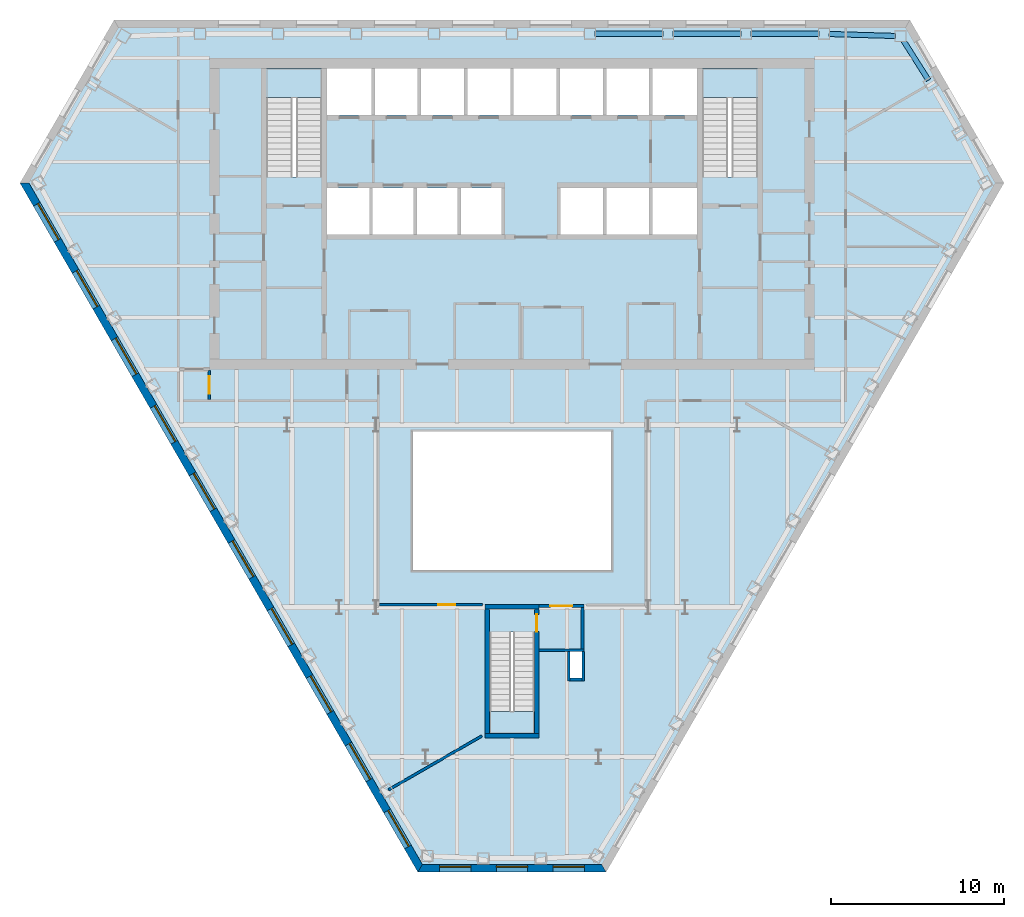
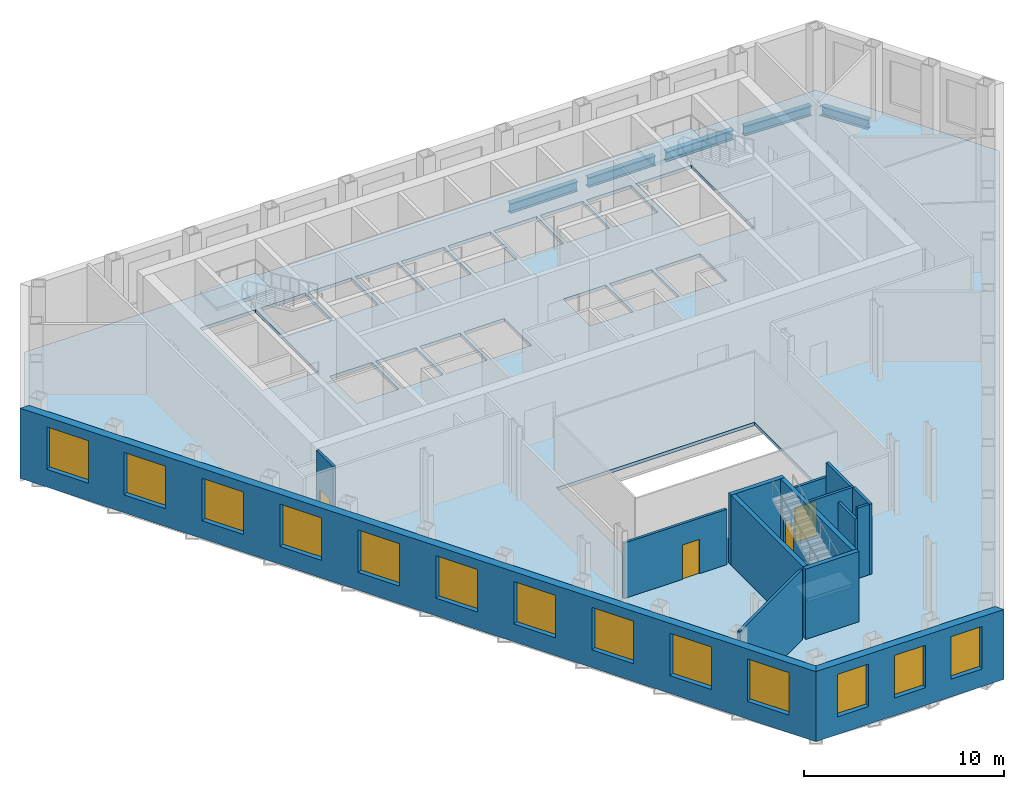
# One storey, part 4 of 11: 15 walls, 13 windows, 5 beams, 4 doors, 4 slabs, 17 openings, 3 elements without a shape of their own.
"""IFC4 building model written with IfcOpenShell, lengths in metres."""

import ifcopenshell
import ifcopenshell.guid

model = None  # the IFC model being written
_history = None  # IfcOwnerHistory: only IFC2X3 demands one
_inside = {}  # id of a spatial element -> (the spatial element, [elements in it])
_under = {}  # id of a project, library or spatial element -> (it, [spatial elements below it])
_declared = {}  # id of a project -> (the project, [libraries it declares])
_typed = {}  # id of a type object -> (the type object, [elements of that type])
_made_of = {}  # id of a material, layer set ... -> (it, [elements and type objects made of it])


def new_model(schema):
    """Start an empty IFC model of exactly this schema.

    Asked for "IFC4X3", IfcOpenShell would pick the latest addendum, in which some entities
    have other attributes; the version numbers below select the first issue.
    IFC2X3 requires an IfcOwnerHistory on every rooted entity: one is made here for all.
    """
    global model, _history
    if schema == "IFC4X3":
        model = ifcopenshell.file(schema_version=(4, 3, 0, 0))
    else:
        model = ifcopenshell.file(schema=schema)
    _inside.clear()
    _under.clear()
    _declared.clear()
    _typed.clear()
    _made_of.clear()
    _history = None
    if model.schema == "IFC2X3":
        org = make("IfcOrganization", Name="unknown")
        user = make(
            "IfcPersonAndOrganization",
            ThePerson=make("IfcPerson", FamilyName="unknown"),
            TheOrganization=org,
        )
        app = make(
            "IfcApplication",
            ApplicationDeveloper=org,
            Version="unknown",
            ApplicationFullName="unknown",
            ApplicationIdentifier="unknown",
        )
        _history = make(
            "IfcOwnerHistory",
            OwningUser=user,
            OwningApplication=app,
            ChangeAction="ADDED",
            CreationDate=0,
        )
    return model


def make(cls, **values):
    """One entity of the class cls with the attributes given. An attribute that is None is left unset."""
    return model.create_entity(
        cls, **{name: value for name, value in values.items() if value is not None}
    )


def rooted(cls, **values):
    """An entity with a GlobalId (a new one), such as an element, a storey or a relation."""
    return make(cls, GlobalId=ifcopenshell.guid.new(), OwnerHistory=_history, **values)


def si_unit(unit_type, name, prefix=None):
    """IfcSIUnit, for example si_unit("LENGTHUNIT", "METRE", prefix="MILLI")."""
    return make("IfcSIUnit", UnitType=unit_type, Prefix=prefix, Name=name)


def assignment(units):
    """IfcUnitAssignment: the units of a project."""
    return None if units is None else make("IfcUnitAssignment", Units=units)


def point(xyz):
    """IfcCartesianPoint."""
    return None if xyz is None else make("IfcCartesianPoint", Coordinates=xyz)


def direction(xyz):
    """IfcDirection."""
    return None if xyz is None else make("IfcDirection", DirectionRatios=xyz)


def frame(location, z_axis=None, x_axis=None):
    """IfcAxis2Placement3D, a coordinate frame: its origin and axes. An axis left out is left unset."""
    return make(
        "IfcAxis2Placement3D",
        Location=point(location),
        Axis=direction(z_axis),
        RefDirection=direction(x_axis),
    )


def frame_2d(location, x_axis=None):
    """IfcAxis2Placement2D, a coordinate frame in the plane: its origin and x axis."""
    return make(
        "IfcAxis2Placement2D", Location=point(location), RefDirection=direction(x_axis)
    )


def origin():
    """The frame at (0, 0, 0) with its axes left unset."""
    return frame((0.0, 0.0, 0.0))


def origin_2d():
    """The frame at (0, 0) in the plane with its x axis left unset."""
    return frame_2d((0.0, 0.0))


def place(relative_to, where):
    """IfcLocalPlacement: puts the frame where relative to a parent placement (None: the world)."""
    return make(
        "IfcLocalPlacement", PlacementRelTo=relative_to, RelativePlacement=where
    )


def context(
    kind, dimensions, precision=None, world=None, true_north=None, identifier=None
):
    """IfcGeometricRepresentationContext, for example the 3D "Model" context."""
    return make(
        "IfcGeometricRepresentationContext",
        ContextIdentifier=identifier,
        ContextType=kind,
        CoordinateSpaceDimension=dimensions,
        Precision=precision,
        WorldCoordinateSystem=world,
        TrueNorth=true_north,
    )


def subcontext(parent, identifier, kind, view, scale=None):
    """IfcGeometricRepresentationSubContext, for example "Body" below "Model"."""
    return make(
        "IfcGeometricRepresentationSubContext",
        ContextIdentifier=identifier,
        ContextType=kind,
        ParentContext=parent,
        TargetScale=scale,
        TargetView=view,
    )


def project(units=None, contexts=None):
    """IfcProject with its units and contexts."""
    return rooted(
        "IfcProject",
        Name="project",
        RepresentationContexts=contexts,
        UnitsInContext=assignment(units),
    )


def spatial(cls, under=None, at=None, **own):
    """A site, building, storey or space (cls), placed at a placement, below another one or the project."""
    s = rooted(cls, ObjectPlacement=at, **own)
    if under is not None:
        _under.setdefault(under.id(), (under, []))[1].append(s)
    return s


def polyline(points):
    """IfcPolyline through the points."""
    return make("IfcPolyline", Points=[point(p) for p in points])


def profile(cls, at=None, kind="AREA", **sizes):
    """A parametric profile (cls). Its sizes go by their IFC names, for example OverallWidth=200.0."""
    return make(cls, ProfileType=kind, Position=at, **sizes)


def rectangle(**sizes):
    """IfcRectangleProfileDef."""
    return profile("IfcRectangleProfileDef", **sizes)


def i_section(**sizes):
    """IfcIShapeProfileDef."""
    return profile("IfcIShapeProfileDef", **sizes)


def outline(outer, holes=None, kind="AREA"):
    """IfcArbitraryClosedProfileDef: a profile drawn as a closed curve; with holes, ...WithVoids."""
    if holes is None:
        return make("IfcArbitraryClosedProfileDef", ProfileType=kind, OuterCurve=outer)
    return make(
        "IfcArbitraryProfileDefWithVoids",
        ProfileType=kind,
        OuterCurve=outer,
        InnerCurves=holes,
    )


def extrude(swept, where, along, depth):
    """IfcExtrudedAreaSolid: the profile swept, set in the frame where, extruded along a direction by depth."""
    return make(
        "IfcExtrudedAreaSolid",
        SweptArea=swept,
        Position=where,
        ExtrudedDirection=direction(along),
        Depth=depth,
    )


def clip(a, b, op="DIFFERENCE"):
    """IfcBooleanClippingResult: the solid a cut by the half space b."""
    return make(
        "IfcBooleanClippingResult", Operator=op, FirstOperand=a, SecondOperand=b
    )


def halfspace(plane, agree):
    """IfcHalfSpaceSolid: all space on one side of the plane z = 0 of the frame plane."""
    return make(
        "IfcHalfSpaceSolid",
        BaseSurface=make("IfcPlane", Position=plane),
        AgreementFlag=agree,
    )


def shape(context_of_items, identifier, shape_type, items):
    """IfcShapeRepresentation: the items that make up one representation, for example the "Body"."""
    return make(
        "IfcShapeRepresentation",
        ContextOfItems=context_of_items,
        RepresentationIdentifier=identifier,
        RepresentationType=shape_type,
        Items=items,
    )


def material(Name=None, Category=None):
    """IfcMaterial."""
    return make("IfcMaterial", Name=Name, Category=Category)


def layer(
    of_material, thickness, ventilated=None, Name=None, Category=None, Priority=None
):
    """IfcMaterialLayer: one layer of a wall or slab, of a material (None: an air gap)."""
    return make(
        "IfcMaterialLayer",
        Material=of_material,
        LayerThickness=thickness,
        IsVentilated=ventilated,
        Name=Name,
        Category=Category,
        Priority=Priority,
    )


def layer_set(layers, Name=None):
    """IfcMaterialLayerSet."""
    return make("IfcMaterialLayerSet", MaterialLayers=layers, LayerSetName=Name)


def material_profile(
    of_material, cross_section, Name=None, Category=None, Priority=None
):
    """IfcMaterialProfile: a cross section and its material."""
    return make(
        "IfcMaterialProfile",
        Name=Name,
        Material=of_material,
        Profile=cross_section,
        Priority=Priority,
        Category=Category,
    )


def profile_set(profiles, Name=None, composite=None):
    """IfcMaterialProfileSet."""
    return make(
        "IfcMaterialProfileSet",
        Name=Name,
        MaterialProfiles=profiles,
        CompositeProfile=composite,
    )


def made_of(thing, what):
    """Note that an element or type object is made of a material, layer set ...; save() writes the relation."""
    if what is not None:
        _made_of.setdefault(what.id(), (what, []))[1].append(thing)
    return thing


def type_object(cls, material=None, **own):
    """A type object (cls), such as IfcWallType, which elements share."""
    return made_of(rooted(cls, **own), material)


def element(
    cls,
    number,
    at=None,
    inside=None,
    cuts=None,
    type_object=None,
    material=None,
    context=None,
    identifier="Body",
    shape_type=None,
    held_by="IfcProductDefinitionShape",
    body=None,
    shapes=None,
    **own,
):
    """One element of the class cls, such as IfcWall. Its Tag is "e" and its number.

    at: its placement. inside: the storey or other place that contains it. cuts: it is an
    opening in that element (IfcRelVoidsElement). A single representation is given by context,
    identifier, shape_type and body (its items); several are given by shapes. held_by: the class
    of the entity that holds the representations. save() writes the other relations.
    """
    e = rooted(cls, Tag="e%d" % number, ObjectPlacement=at, **own)
    if body is not None:
        shapes = [shape(context, identifier, shape_type, body)]
    if shapes is not None:
        e.Representation = make(held_by, Representations=shapes)
    if inside is not None:
        _inside.setdefault(inside.id(), (inside, []))[1].append(e)
    if cuts is not None:
        rooted(
            "IfcRelVoidsElement", RelatingBuildingElement=cuts, RelatedOpeningElement=e
        )
    if type_object is not None:
        _typed.setdefault(type_object.id(), (type_object, []))[1].append(e)
    return made_of(e, material)


def fill(opening, filler):
    """IfcRelFillsElement: the door or window that sits in an opening."""
    return rooted(
        "IfcRelFillsElement",
        RelatingOpeningElement=opening,
        RelatedBuildingElement=filler,
    )


def aggregate(whole, parts):
    """IfcRelAggregates: a whole, such as a stair, and the parts it consists of."""
    return rooted("IfcRelAggregates", RelatingObject=whole, RelatedObjects=parts)


def save(model, path):
    """Write the relations noted so far, then the file.

    IfcRelAggregates (storeys below a building ...), IfcRelContainedInSpatialStructure (elements
    in a storey), IfcRelDefinesByType, IfcRelAssociatesMaterial and IfcRelDeclares: one each for
    every whole, place, type object, material and project.
    """
    for whole, parts in _under.values():
        aggregate(whole, parts)
    for where, things in _inside.values():
        rooted(
            "IfcRelContainedInSpatialStructure",
            RelatedElements=things,
            RelatingStructure=where,
        )
    for kind, things in _typed.values():
        rooted("IfcRelDefinesByType", RelatedObjects=things, RelatingType=kind)
    for what, things in _made_of.values():
        rooted("IfcRelAssociatesMaterial", RelatedObjects=things, RelatingMaterial=what)
    for by, libraries in _declared.values():
        rooted("IfcRelDeclares", RelatingContext=by, RelatedDefinitions=libraries)
    model.write(path)


model = new_model("IFC4")

# Units and contexts
model_context = context("Model", 3, precision=1e-05, world=origin(), true_north=direction((0.0, 1.0)))
body_context = subcontext(model_context, "Body", "Model", "MODEL_VIEW")
ifc_project = project(units=[si_unit("LENGTHUNIT", "METRE"), si_unit("AREAUNIT", "SQUARE_METRE"), si_unit("VOLUMEUNIT", "CUBIC_METRE"), si_unit("PLANEANGLEUNIT", "RADIAN"), si_unit("MASSUNIT", "GRAM", prefix="KILO")], contexts=[model_context])

# Site, building, storey
site_placement = place(None, origin())
site = spatial("IfcSite", under=ifc_project, at=site_placement, CompositionType="ELEMENT")
building_placement = place(site_placement, origin())
building = spatial("IfcBuilding", under=site, at=building_placement, Name="Njiva Tower", CompositionType="ELEMENT")
storey_placement = place(building_placement, frame((0.0, 0.0, 69.3)))
storey = spatial("IfcBuildingStorey", under=building, at=storey_placement, Name="L14", CompositionType="ELEMENT", Elevation=69.3)

# Beams
ifc_material_1 = material(Name="Steel S355 J2", Category="steel")
ifc_material_profile = material_profile(ifc_material_1, i_section(OverallWidth=0.3, OverallDepth=0.6, WebThickness=0.0155, FlangeThickness=0.03, at=origin_2d()), Name="HEB 600")
ifc_profile_set = profile_set([ifc_material_profile], Name="Steel S355 J2")
beam_type = type_object("IfcBeamType", Name="B3 Short-span spandrel beam HEB 600", PredefinedType="SPANDREL", material=ifc_profile_set)
beam_1_placement = place(storey_placement, frame((22.162, 19.276, -0.5), z_axis=(-0.999548107162, 0.030059631884, 0.0), x_axis=(-0.030059631884, -0.999548107162, 0.0)))
element("IfcBeam", 1, at=beam_1_placement, inside=storey, type_object=beam_type, Name="Short-span spandrel beam S05-B158", PredefinedType="SPANDREL", context=body_context, shape_type="SweptSolid", body=[
    extrude(i_section(OverallWidth=0.3, OverallDepth=0.6, WebThickness=0.0155, FlangeThickness=0.03, at=origin_2d()), origin(), (0.0, 0.0, 1.0), 3.8257),
])
beam_2_placement = place(storey_placement, frame((17.734, 19.4, -0.5), z_axis=(-1.0, 0.0, 0.0), x_axis=(0.0, -1.0, 0.0)))
element("IfcBeam", 2, at=beam_2_placement, inside=storey, type_object=beam_type, Name="Short-span spandrel beam S05-B152", PredefinedType="SPANDREL", context=body_context, shape_type="SweptSolid", body=[
    extrude(i_section(OverallWidth=0.3, OverallDepth=0.6, WebThickness=0.0155, FlangeThickness=0.03, at=origin_2d()), origin(), (0.0, 0.0, 1.0), 3.908),
])
beam_3_placement = place(storey_placement, frame((13.226, 19.4, -0.5), z_axis=(-1.0, 0.0, 0.0), x_axis=(0.0, -1.0, 0.0)))
element("IfcBeam", 3, at=beam_3_placement, inside=storey, type_object=beam_type, Name="Short-span spandrel beam S05-B146", PredefinedType="SPANDREL", context=body_context, shape_type="SweptSolid", body=[
    extrude(i_section(OverallWidth=0.3, OverallDepth=0.6, WebThickness=0.0155, FlangeThickness=0.03, at=origin_2d()), origin(), (0.0, 0.0, 1.0), 3.909),
])
beam_4_placement = place(storey_placement, frame((8.717, 19.4, -0.5), z_axis=(-1.0, 0.0, 0.0), x_axis=(0.0, -1.0, 0.0)))
element("IfcBeam", 4, at=beam_4_placement, inside=storey, type_object=beam_type, Name="Short-span spandrel beam S05-B140", PredefinedType="SPANDREL", context=body_context, shape_type="SweptSolid", body=[
    extrude(i_section(OverallWidth=0.3, OverallDepth=0.6, WebThickness=0.0155, FlangeThickness=0.03, at=origin_2d()), origin(), (0.0, 0.0, 1.0), 3.908),
])
beam_5_placement = place(storey_placement, frame((24.077, 16.717, -0.5), z_axis=(-0.535319984282, 0.844649344064, 0.0), x_axis=(-0.844649344064, -0.535319984282, 0.0)))
element("IfcBeam", 5, at=beam_5_placement, inside=storey, type_object=beam_type, Name="Short-span spandrel beam S05-B164", PredefinedType="SPANDREL", context=body_context, shape_type="Clipping", body=[
    clip(extrude(i_section(OverallWidth=0.3, OverallDepth=0.6, WebThickness=0.0155, FlangeThickness=0.03, at=origin_2d()), origin(), (0.0, 0.0, 1.0), 2.7788), halfspace(frame((-0.0269, 0.0, 2.6468), z_axis=(-0.535319984282, 0.0, 0.844649344064), x_axis=(0.0, 1.0, 0.0)), False)),
])

# Stair, slab
ifc_material_2 = material(Name="Concrete C40/50", Category="concrete")
stair_type_1 = type_object("IfcStairType", Name="ST4 Exit stair 1500", PredefinedType="HALF_TURN_STAIR", material=ifc_material_2)
stair_1_placement = place(storey_placement, origin())
stair_1 = element("IfcStair", 6, at=stair_1_placement, inside=storey, type_object=stair_type_1, Name="Stair A", PredefinedType="HALF_TURN_STAIR")
ifc_layer_1 = layer(ifc_material_2, 0.2)
ifc_layer_set_1 = layer_set([ifc_layer_1], Name="Concrete C40/50")
slab_type_1 = type_object("IfcSlabType", Name="FL9 Stair landing 200", PredefinedType="LANDING", material=ifc_layer_set_1)
slab_1_placement = place(storey_placement, frame((0.0, 0.0, 2.05)))
slab_1 = element("IfcSlab", 7, at=slab_1_placement, type_object=slab_type_1, Name="ST-A landing 1", PredefinedType="LANDING", context=body_context, shape_type="SweptSolid", body=[
    extrude(outline(polyline([(-14.206, 15.72), (-10.994, 15.72), (-10.994, 17.4), (-14.206, 17.4), (-14.206, 15.72)])), origin(), (0.0, 0.0, 1.0), 0.2),
])
aggregate(stair_1, [slab_1])

stair_2_placement = place(storey_placement, origin())
stair_2 = element("IfcStair", 8, at=stair_2_placement, inside=storey, type_object=stair_type_1, Name="Stair B", PredefinedType="HALF_TURN_STAIR")
slab_2_placement = place(storey_placement, frame((0.0, 0.0, 2.05)))
slab_2 = element("IfcSlab", 9, at=slab_2_placement, type_object=slab_type_1, Name="ST-B landing 1", PredefinedType="LANDING", context=body_context, shape_type="SweptSolid", body=[
    extrude(outline(polyline([(10.994, 15.72), (14.206, 15.72), (14.206, 17.4), (10.994, 17.4), (10.994, 15.72)])), origin(), (0.0, 0.0, 1.0), 0.2),
])
aggregate(stair_2, [slab_2])

stair_type_2 = type_object("IfcStairType", Name="ST1 Exit stair 1250", PredefinedType="HALF_TURN_STAIR", material=ifc_material_2)
stair_3_placement = place(storey_placement, origin())
stair_3 = element("IfcStair", 10, at=stair_3_placement, inside=storey, type_object=stair_type_2, Name="Stair C", PredefinedType="HALF_TURN_STAIR")
slab_3_placement = place(storey_placement, frame((0.0, 0.0, 2.05)))
slab_3 = element("IfcSlab", 11, at=slab_3_placement, type_object=slab_type_1, Name="ST-C landing 1", PredefinedType="LANDING", context=body_context, shape_type="SweptSolid", body=[
    extrude(outline(polyline([(-1.306, -21.05), (1.306, -21.05), (1.306, -19.78), (-1.306, -19.78), (-1.306, -21.05)])), origin(), (0.0, 0.0, 1.0), 0.2),
])
aggregate(stair_3, [slab_3])

# Slab
ifc_material_3 = material(Name="Concrete C30/37", Category="concrete")
ifc_layer_2 = layer(ifc_material_3, 0.2)
ifc_layer_set_2 = layer_set([ifc_layer_2], Name="Concrete C30/37")
slab_type_2 = type_object("IfcSlabType", Name="SL16 Composite floor slab 200", PredefinedType="FLOOR", material=ifc_layer_set_2)
slab_4_placement = place(storey_placement, frame((0.0, 0.0, -0.2)))
element("IfcSlab", 12, at=slab_4_placement, inside=storey, type_object=slab_type_2, Name="Floor slab L14", PredefinedType="FLOOR", context=body_context, shape_type="SweptSolid", body=[
    extrude(outline(polyline([(28.1802, 10.7776), (5.3101, -28.8345), (-5.3101, -28.8345), (-28.1802, 10.7776), (-22.8701, 19.975), (22.8701, 19.975), (28.1802, 10.7776)]), holes=[polyline([(10.994, 11.13), (14.206, 11.13), (14.206, 17.4), (10.994, 17.4), (10.994, 11.13)]), polyline([(8.125, 17.4), (8.125, 14.7), (10.7, 14.7), (10.7, 17.4), (8.125, 17.4)]), polyline([(8.1333, 10.5), (8.1333, 7.8), (10.7, 7.8), (10.7, 10.5), (8.1333, 10.5)]), polyline([(5.4667, 10.5), (5.4667, 7.8), (7.9333, 7.8), (7.9333, 10.5), (5.4667, 10.5)]), polyline([(5.45, 17.4), (5.45, 14.7), (7.925, 14.7), (7.925, 17.4), (5.45, 17.4)]), polyline([(5.72, -11.6), (5.72, -3.6), (-5.72, -3.6), (-5.72, -11.6), (5.72, -11.6)]), polyline([(2.8, 7.8), (5.2667, 7.8), (5.2667, 10.5), (2.8, 10.5), (2.8, 7.8)]), polyline([(2.775, 14.7), (5.25, 14.7), (5.25, 17.4), (2.775, 17.4), (2.775, 14.7)]), polyline([(3.35, -17.85), (4.05, -17.85), (4.05, -16.3), (3.35, -16.3), (3.35, -17.85)]), polyline([(0.1, 14.7), (2.575, 14.7), (2.575, 17.4), (0.1, 17.4), (0.1, 14.7)]), polyline([(-1.306, -21.05), (1.306, -21.05), (1.306, -15.19), (-1.306, -15.19), (-1.306, -21.05)]), polyline([(-2.575, 17.4), (-2.575, 14.7), (-0.1, 14.7), (-0.1, 17.4), (-2.575, 17.4)]), polyline([(-2.95, 10.5), (-2.95, 7.8), (-0.6, 7.8), (-0.6, 10.5), (-2.95, 10.5)]), polyline([(-5.25, 17.4), (-5.25, 14.7), (-2.775, 14.7), (-2.775, 17.4), (-5.25, 17.4)]), polyline([(-5.5, 10.5), (-5.5, 7.8), (-3.15, 7.8), (-3.15, 10.5), (-5.5, 10.5)]), polyline([(-7.925, 14.7), (-5.45, 14.7), (-5.45, 17.4), (-7.925, 17.4), (-7.925, 14.7)]), polyline([(-8.05, 7.8), (-5.7, 7.8), (-5.7, 10.5), (-8.05, 10.5), (-8.05, 7.8)]), polyline([(-10.7, 14.7), (-8.125, 14.7), (-8.125, 17.4), (-10.7, 17.4), (-10.7, 14.7)]), polyline([(-10.7, 7.8), (-8.25, 7.8), (-8.25, 10.5), (-10.7, 10.5), (-10.7, 7.8)]), polyline([(-14.206, 11.13), (-10.994, 11.13), (-10.994, 17.4), (-14.206, 17.4), (-14.206, 11.13)])]), origin(), (0.0, 0.0, 1.0), 0.2),
])

# Wall, opening, door
ifc_material_4 = material(Name="Gypsum board on steel studs", Category="gypsum")
ifc_layer_3 = layer(ifc_material_4, 0.15)
ifc_layer_set_3 = layer_set([ifc_layer_3], Name="Gypsum board on steel studs")
wall_type_1 = type_object("IfcWallType", Name="WT21 Compartment wall 150", PredefinedType="PARTITIONING", material=ifc_layer_set_3)
wall_1_placement = place(storey_placement, frame((-17.5, -1.725, 0.0), z_axis=(0.0, 0.0, 1.0), x_axis=(0.0, 1.0, 0.0)))
wall_1 = element("IfcWall", 13, at=wall_1_placement, inside=storey, type_object=wall_type_1, Name="Partition S05-P005", PredefinedType="PARTITIONING", context=body_context, shape_type="SweptSolid", body=[
    extrude(rectangle(XDim=1.65, YDim=0.15, at=frame_2d((0.825, 0.0))), origin(), (0.0, 0.0, 1.0), 4.3),
])
opening_1_placement = place(wall_1_placement, frame((0.325, 0.0, 0.0)))
opening_1 = element("IfcOpeningElement", 14, at=opening_1_placement, cuts=wall_1, Name="Opening S05-D003", PredefinedType="OPENING", context=body_context, shape_type="SweptSolid", body=[
    extrude(rectangle(XDim=1.0, YDim=2.1, at=frame_2d((0.5, 1.05))), frame((0.0, 0.085, 0.0), z_axis=(0.0, -1.0, 0.0), x_axis=(1.0, 0.0, 0.0)), (0.0, 0.0, 1.0), 0.17),
])
ifc_material_5 = material(Name="Steel fire door set", Category="steel")
door_type_1 = type_object("IfcDoorType", Name="D37 Fire door 1000x2100", OperationType="SINGLE_SWING_LEFT", PredefinedType="DOOR", material=ifc_material_5)
door_1_placement = place(opening_1_placement, origin())
door_1 = element("IfcDoor", 15, at=door_1_placement, inside=storey, type_object=door_type_1, Name="Door S05-D003", OperationType="SINGLE_SWING_LEFT", OverallHeight=2.1, OverallWidth=1.0, PredefinedType="DOOR", context=body_context, shape_type="SweptSolid", body=[
    extrude(rectangle(XDim=1.0, YDim=2.1, at=frame_2d((0.5, 1.05))), frame((0.0, 0.025, 0.0), z_axis=(0.0, -1.0, 0.0), x_axis=(1.0, 0.0, 0.0)), (0.0, 0.0, 1.0), 0.05),
])
fill(opening_1, door_1)

wall_2_placement = place(storey_placement, frame((-7.645, -13.6, 0.0), z_axis=(0.0, 0.0, 1.0), x_axis=(1.0, 0.0, 0.0)))
wall_2 = element("IfcWall", 16, at=wall_2_placement, inside=storey, type_object=wall_type_1, Name="Partition S05-P008", PredefinedType="PARTITIONING", context=body_context, shape_type="SweptSolid", body=[
    extrude(rectangle(XDim=5.945, YDim=0.15, at=frame_2d((2.9725, 0.0))), origin(), (0.0, 0.0, 1.0), 3.39),
])
opening_2_placement = place(wall_2_placement, frame((3.378, 0.0, 0.0)))
opening_2 = element("IfcOpeningElement", 17, at=opening_2_placement, cuts=wall_2, Name="Opening S05-D006", PredefinedType="OPENING", context=body_context, shape_type="SweptSolid", body=[
    extrude(rectangle(XDim=1.0, YDim=2.1, at=frame_2d((0.5, 1.05))), frame((0.0, 0.085, 0.0), z_axis=(0.0, -1.0, 0.0), x_axis=(1.0, 0.0, 0.0)), (0.0, 0.0, 1.0), 0.17),
])
door_2_placement = place(opening_2_placement, origin())
door_2 = element("IfcDoor", 18, at=door_2_placement, inside=storey, type_object=door_type_1, Name="Door S05-D006", OperationType="SINGLE_SWING_RIGHT", OverallHeight=2.1, OverallWidth=1.0, PredefinedType="DOOR", context=body_context, shape_type="SweptSolid", body=[
    extrude(rectangle(XDim=1.0, YDim=2.1, at=frame_2d((0.5, 1.05))), frame((0.0, 0.025, 0.0), z_axis=(0.0, -1.0, 0.0), x_axis=(1.0, 0.0, 0.0)), (0.0, 0.0, 1.0), 0.05),
])
fill(opening_2, door_2)

# Walls
wall_3_placement = place(storey_placement, frame((-7.146, -24.304, 0.0), z_axis=(0.0, 0.0, 1.0), x_axis=(0.86615625953, 0.499773282676, 0.0)))
element("IfcWall", 19, at=wall_3_placement, inside=storey, type_object=wall_type_1, Name="Partition S05-P009", PredefinedType="PARTITIONING", context=body_context, shape_type="SweptSolid", body=[
    extrude(rectangle(XDim=6.2448, YDim=0.15, at=frame_2d((3.1224, 0.0))), origin(), (0.0, 0.0, 1.0), 4.3),
])
ifc_material_6 = material(Name="Blockwork", Category="masonry")
ifc_layer_4 = layer(ifc_material_6, 0.15)
ifc_layer_set_4 = layer_set([ifc_layer_4], Name="Blockwork")
wall_type_2 = type_object("IfcWallType", Name="WT4 Stair partition 150", PredefinedType="PARTITIONING", material=ifc_layer_set_4)
wall_4_placement = place(storey_placement, frame((1.55, -16.225, 0.0), z_axis=(0.0, 0.0, 1.0), x_axis=(1.0, 0.0, 0.0)))
element("IfcWall", 20, at=wall_4_placement, inside=storey, type_object=wall_type_2, Name="Stair C vestibule wall south", PredefinedType="PARTITIONING", context=body_context, shape_type="SweptSolid", body=[
    extrude(rectangle(XDim=2.6, YDim=0.15, at=frame_2d((1.3, 0.0))), origin(), (0.0, 0.0, 1.0), 4.3),
])
wall_5_placement = place(storey_placement, frame((4.075, -16.15, 0.0), z_axis=(0.0, 0.0, 1.0), x_axis=(0.0, 1.0, 0.0)))
element("IfcWall", 21, at=wall_5_placement, inside=storey, type_object=wall_type_2, Name="Stair C vestibule wall east", PredefinedType="PARTITIONING", context=body_context, shape_type="SweptSolid", body=[
    extrude(rectangle(XDim=2.4, YDim=0.15, at=frame_2d((1.2, 0.0))), origin(), (0.0, 0.0, 1.0), 4.3),
])

# Wall, opening, door
wall_6_placement = place(storey_placement, frame((1.55, -13.675, 0.0), z_axis=(0.0, 0.0, 1.0), x_axis=(1.0, 0.0, 0.0)))
wall_6 = element("IfcWall", 22, at=wall_6_placement, inside=storey, type_object=wall_type_2, Name="Stair C vestibule wall north", PredefinedType="PARTITIONING", context=body_context, shape_type="SweptSolid", body=[
    extrude(rectangle(XDim=2.6, YDim=0.15, at=frame_2d((1.3, 0.0))), origin(), (0.0, 0.0, 1.0), 3.39),
])
opening_3_placement = place(wall_6_placement, frame((0.675, 0.0, 0.0)))
opening_3 = element("IfcOpeningElement", 23, at=opening_3_placement, cuts=wall_6, Name="Opening S05-D940", PredefinedType="OPENING", context=body_context, shape_type="SweptSolid", body=[
    extrude(rectangle(XDim=1.25, YDim=2.1, at=frame_2d((0.625, 1.05))), frame((0.0, 0.085, 0.0), z_axis=(0.0, -1.0, 0.0), x_axis=(1.0, 0.0, 0.0)), (0.0, 0.0, 1.0), 0.17),
])
ifc_material_7 = material(Name="Glazed steel fire door", Category="steel")
door_type_2 = type_object("IfcDoorType", Name="D8 Vestibule corridor door 1250x2100 glazed", OperationType="SINGLE_SWING_LEFT", PredefinedType="DOOR", material=ifc_material_7)
door_3_placement = place(opening_3_placement, origin())
door_3 = element("IfcDoor", 24, at=door_3_placement, inside=storey, type_object=door_type_2, Name="Stair vestibule corridor door", OperationType="SINGLE_SWING_RIGHT", OverallHeight=2.1, OverallWidth=1.25, PredefinedType="DOOR", context=body_context, shape_type="SweptSolid", body=[
    extrude(rectangle(XDim=1.25, YDim=2.1, at=frame_2d((0.625, 1.05))), frame((0.0, 0.025, 0.0), z_axis=(0.0, -1.0, 0.0), x_axis=(1.0, 0.0, 0.0)), (0.0, 0.0, 1.0), 0.05),
])
fill(opening_3, door_3)

# Walls
wall_7_placement = place(storey_placement, frame((3.275, -18.0, 0.0), z_axis=(0.0, 0.0, 1.0), x_axis=(0.0, 1.0, 0.0)))
element("IfcWall", 25, at=wall_7_placement, inside=storey, type_object=wall_type_2, Name="Stair C pressurisation shaft wall", PredefinedType="PARTITIONING", context=body_context, shape_type="SweptSolid", body=[
    extrude(rectangle(XDim=1.7, YDim=0.15, at=frame_2d((0.85, 0.0))), origin(), (0.0, 0.0, 1.0), 3.7),
])
wall_8_placement = place(storey_placement, frame((3.35, -17.925, 0.0), z_axis=(0.0, 0.0, 1.0), x_axis=(1.0, 0.0, 0.0)))
element("IfcWall", 26, at=wall_8_placement, inside=storey, type_object=wall_type_2, Name="Stair C pressurisation shaft wall", PredefinedType="PARTITIONING", context=body_context, shape_type="SweptSolid", body=[
    extrude(rectangle(XDim=0.7, YDim=0.15, at=frame_2d((0.35, 0.0))), origin(), (0.0, 0.0, 1.0), 4.3),
])
wall_9_placement = place(storey_placement, frame((4.125, -18.0, 0.0), z_axis=(0.0, 0.0, 1.0), x_axis=(0.0, 1.0, 0.0)))
element("IfcWall", 27, at=wall_9_placement, inside=storey, type_object=wall_type_2, Name="Stair C pressurisation shaft wall", PredefinedType="PARTITIONING", context=body_context, shape_type="SweptSolid", body=[
    extrude(rectangle(XDim=1.7, YDim=0.15, at=frame_2d((0.85, 0.0))), origin(), (0.0, 0.0, 1.0), 4.3),
])
ifc_layer_5 = layer(ifc_material_2, 0.25)
ifc_layer_set_5 = layer_set([ifc_layer_5], Name="Concrete C40/50")
wall_type_3 = type_object("IfcWallType", Name="WT9 Stair enclosure wall 250", PredefinedType="SHEAR", material=ifc_layer_set_5)
wall_10_placement = place(storey_placement, frame((-1.425, -21.05, 0.0), z_axis=(0.0, 0.0, 1.0), x_axis=(0.0, 1.0, 0.0)))
element("IfcWall", 28, at=wall_10_placement, inside=storey, type_object=wall_type_3, Name="Stair C wall west", PredefinedType="SHEAR", context=body_context, shape_type="SweptSolid", body=[
    extrude(rectangle(XDim=7.2, YDim=0.25, at=frame_2d((3.6, 0.0))), origin(), (0.0, 0.0, 1.0), 4.3),
])

# Wall, opening, door
wall_11_placement = place(storey_placement, frame((1.425, -21.05, 0.0), z_axis=(0.0, 0.0, 1.0), x_axis=(0.0, 1.0, 0.0)))
wall_11 = element("IfcWall", 29, at=wall_11_placement, inside=storey, type_object=wall_type_3, Name="Stair C wall east", PredefinedType="SHEAR", context=body_context, shape_type="SweptSolid", body=[
    extrude(rectangle(XDim=7.2, YDim=0.25, at=frame_2d((3.6, 0.0))), origin(), (0.0, 0.0, 1.0), 4.3),
])
opening_4_placement = place(wall_11_placement, frame((5.89, 0.0, 0.0)))
opening_4 = element("IfcOpeningElement", 30, at=opening_4_placement, cuts=wall_11, Name="Opening S05-D939", PredefinedType="OPENING", context=body_context, shape_type="SweptSolid", body=[
    extrude(rectangle(XDim=1.0, YDim=2.1, at=frame_2d((0.5, 1.05))), frame((0.0, 0.135, 0.0), z_axis=(0.0, -1.0, 0.0), x_axis=(1.0, 0.0, 0.0)), (0.0, 0.0, 1.0), 0.27),
])
door_type_3 = type_object("IfcDoorType", Name="D9 Stair vestibule door 1000x2100 glazed", OperationType="SINGLE_SWING_LEFT", PredefinedType="DOOR", material=ifc_material_7)
door_4_placement = place(opening_4_placement, origin())
door_4 = element("IfcDoor", 31, at=door_4_placement, inside=storey, type_object=door_type_3, Name="Stair C door", OperationType="SINGLE_SWING_LEFT", OverallHeight=2.1, OverallWidth=1.0, PredefinedType="DOOR", context=body_context, shape_type="SweptSolid", body=[
    extrude(rectangle(XDim=1.0, YDim=2.1, at=frame_2d((0.5, 1.05))), frame((0.0, 0.025, 0.0), z_axis=(0.0, -1.0, 0.0), x_axis=(1.0, 0.0, 0.0)), (0.0, 0.0, 1.0), 0.05),
])
fill(opening_4, door_4)

# Walls
for number, where, z_axis, x_axis, name in (
    (32, (-1.55, -21.175, 0.0), (0.0, 0.0, 1.0), (1.0, 0.0, 0.0), "Stair C wall south"),
    (33, (-1.55, -13.725, 0.0), (0.0, 0.0, 1.0), (1.0, 0.0, 0.0), "Stair C wall north"),
):
    element("IfcWall", number, at=place(storey_placement, frame(where, z_axis=z_axis, x_axis=x_axis)), inside=storey, type_object=wall_type_3, Name=name, PredefinedType="SHEAR", context=body_context, shape_type="SweptSolid", body=[
        extrude(rectangle(XDim=3.1, YDim=0.25, at=frame_2d((1.55, 0.0))), origin(), (0.0, 0.0, 1.0), 4.3),
    ])

# Wall, openings, windows
ifc_material_8 = material(Name="Brick masonry", Category="masonry")
ifc_layer_6 = layer(ifc_material_8, 0.45)
ifc_layer_set_6 = layer_set([ifc_layer_6], Name="Brick masonry")
wall_type_4 = type_object("IfcWallType", Name="WT90 Brick pier and spandrel wall 450", PredefinedType="SOLIDWALL", material=ifc_layer_set_6)
wall_12_placement = place(storey_placement, frame((-28.1802, 10.7776, -0.18), z_axis=(0.0, 0.0, 1.0), x_axis=(0.500000711659, -0.866024992908, 0.0)))
wall_12 = element("IfcWall", 34, at=wall_12_placement, inside=storey, type_object=wall_type_4, Name="Facade wall SW", PredefinedType="SOLIDWALL", context=body_context, shape_type="SweptSolid", body=[
    extrude(outline(polyline([(-0.1299, -0.225), (45.87, -0.225), (45.6102, 0.225), (0.1299, 0.225), (-0.1299, -0.225)])), origin(), (0.0, 0.0, 1.0), 4.28),
])
opening_5_placement = place(wall_12_placement, frame((1.4242, 0.0, 1.08)))
opening_5 = element("IfcOpeningElement", 35, at=opening_5_placement, cuts=wall_12, Name="Opening S05-W12", PredefinedType="OPENING", context=body_context, shape_type="SweptSolid", body=[
    extrude(rectangle(XDim=2.4, YDim=2.6, at=frame_2d((1.2, 1.3))), frame((0.0, 0.235, 0.0), z_axis=(0.0, -1.0, 0.0), x_axis=(1.0, 0.0, 0.0)), (0.0, 0.0, 1.0), 0.47),
])
opening_6_placement = place(wall_12_placement, frame((5.8934, 0.0, 1.08)))
opening_6 = element("IfcOpeningElement", 36, at=opening_6_placement, cuts=wall_12, Name="Opening S05-W13", PredefinedType="OPENING", context=body_context, shape_type="SweptSolid", body=[
    extrude(rectangle(XDim=2.4, YDim=2.6, at=frame_2d((1.2, 1.3))), frame((0.0, 0.235, 0.0), z_axis=(0.0, -1.0, 0.0), x_axis=(1.0, 0.0, 0.0)), (0.0, 0.0, 1.0), 0.47),
])
opening_7_placement = place(wall_12_placement, frame((10.401, 0.0, 1.08)))
opening_7 = element("IfcOpeningElement", 37, at=opening_7_placement, cuts=wall_12, Name="Opening S05-W14", PredefinedType="OPENING", context=body_context, shape_type="SweptSolid", body=[
    extrude(rectangle(XDim=2.4, YDim=2.6, at=frame_2d((1.2, 1.3))), frame((0.0, 0.235, 0.0), z_axis=(0.0, -1.0, 0.0), x_axis=(1.0, 0.0, 0.0)), (0.0, 0.0, 1.0), 0.47),
])
opening_8_placement = place(wall_12_placement, frame((14.9087, 0.0, 1.08)))
opening_8 = element("IfcOpeningElement", 38, at=opening_8_placement, cuts=wall_12, Name="Opening S05-W15", PredefinedType="OPENING", context=body_context, shape_type="SweptSolid", body=[
    extrude(rectangle(XDim=2.4, YDim=2.6, at=frame_2d((1.2, 1.3))), frame((0.0, 0.235, 0.0), z_axis=(0.0, -1.0, 0.0), x_axis=(1.0, 0.0, 0.0)), (0.0, 0.0, 1.0), 0.47),
])
opening_9_placement = place(wall_12_placement, frame((19.4163, 0.0, 1.08)))
opening_9 = element("IfcOpeningElement", 39, at=opening_9_placement, cuts=wall_12, Name="Opening S05-W16", PredefinedType="OPENING", context=body_context, shape_type="SweptSolid", body=[
    extrude(rectangle(XDim=2.4, YDim=2.6, at=frame_2d((1.2, 1.3))), frame((0.0, 0.235, 0.0), z_axis=(0.0, -1.0, 0.0), x_axis=(1.0, 0.0, 0.0)), (0.0, 0.0, 1.0), 0.47),
])
opening_10_placement = place(wall_12_placement, frame((23.9239, 0.0, 1.08)))
opening_10 = element("IfcOpeningElement", 40, at=opening_10_placement, cuts=wall_12, Name="Opening S05-W17", PredefinedType="OPENING", context=body_context, shape_type="SweptSolid", body=[
    extrude(rectangle(XDim=2.4, YDim=2.6, at=frame_2d((1.2, 1.3))), frame((0.0, 0.235, 0.0), z_axis=(0.0, -1.0, 0.0), x_axis=(1.0, 0.0, 0.0)), (0.0, 0.0, 1.0), 0.47),
])
opening_11_placement = place(wall_12_placement, frame((28.4315, 0.0, 1.08)))
opening_11 = element("IfcOpeningElement", 41, at=opening_11_placement, cuts=wall_12, Name="Opening S05-W18", PredefinedType="OPENING", context=body_context, shape_type="SweptSolid", body=[
    extrude(rectangle(XDim=2.4, YDim=2.6, at=frame_2d((1.2, 1.3))), frame((0.0, 0.235, 0.0), z_axis=(0.0, -1.0, 0.0), x_axis=(1.0, 0.0, 0.0)), (0.0, 0.0, 1.0), 0.47),
])
opening_12_placement = place(wall_12_placement, frame((32.9391, 0.0, 1.08)))
opening_12 = element("IfcOpeningElement", 42, at=opening_12_placement, cuts=wall_12, Name="Opening S05-W19", PredefinedType="OPENING", context=body_context, shape_type="SweptSolid", body=[
    extrude(rectangle(XDim=2.4, YDim=2.6, at=frame_2d((1.2, 1.3))), frame((0.0, 0.235, 0.0), z_axis=(0.0, -1.0, 0.0), x_axis=(1.0, 0.0, 0.0)), (0.0, 0.0, 1.0), 0.47),
])
opening_13_placement = place(wall_12_placement, frame((37.4468, 0.0, 1.08)))
opening_13 = element("IfcOpeningElement", 43, at=opening_13_placement, cuts=wall_12, Name="Opening S05-W20", PredefinedType="OPENING", context=body_context, shape_type="SweptSolid", body=[
    extrude(rectangle(XDim=2.4, YDim=2.6, at=frame_2d((1.2, 1.3))), frame((0.0, 0.235, 0.0), z_axis=(0.0, -1.0, 0.0), x_axis=(1.0, 0.0, 0.0)), (0.0, 0.0, 1.0), 0.47),
])
opening_14_placement = place(wall_12_placement, frame((41.916, 0.0, 1.08)))
opening_14 = element("IfcOpeningElement", 44, at=opening_14_placement, cuts=wall_12, Name="Opening S05-W21", PredefinedType="OPENING", context=body_context, shape_type="SweptSolid", body=[
    extrude(rectangle(XDim=2.4, YDim=2.6, at=frame_2d((1.2, 1.3))), frame((0.0, 0.235, 0.0), z_axis=(0.0, -1.0, 0.0), x_axis=(1.0, 0.0, 0.0)), (0.0, 0.0, 1.0), 0.47),
])
ifc_material_9 = material(Name="Clear glazing in aluminium frame", Category="aluminium")
window_type_1 = type_object("IfcWindowType", Name="W92 Deep-set window 2400x2600", PartitioningType="SINGLE_PANEL", PredefinedType="WINDOW", material=ifc_material_9)
window_1_placement = place(opening_5_placement, origin())
window_1 = element("IfcWindow", 45, at=window_1_placement, inside=storey, type_object=window_type_1, Name="Window", OverallHeight=2.6, OverallWidth=2.4, PartitioningType="SINGLE_PANEL", PredefinedType="WINDOW", context=body_context, shape_type="SweptSolid", body=[
    extrude(rectangle(XDim=2.4, YDim=2.6, at=frame_2d((1.2, 1.3))), frame((0.0, 0.105, 0.0), z_axis=(0.0, -1.0, 0.0), x_axis=(1.0, 0.0, 0.0)), (0.0, 0.0, 1.0), 0.06),
])
fill(opening_5, window_1)
window_2_placement = place(opening_6_placement, origin())
window_2 = element("IfcWindow", 46, at=window_2_placement, inside=storey, type_object=window_type_1, Name="Window", OverallHeight=2.6, OverallWidth=2.4, PartitioningType="SINGLE_PANEL", PredefinedType="WINDOW", context=body_context, shape_type="SweptSolid", body=[
    extrude(rectangle(XDim=2.4, YDim=2.6, at=frame_2d((1.2, 1.3))), frame((0.0, 0.105, 0.0), z_axis=(0.0, -1.0, 0.0), x_axis=(1.0, 0.0, 0.0)), (0.0, 0.0, 1.0), 0.06),
])
fill(opening_6, window_2)
window_3_placement = place(opening_7_placement, origin())
window_3 = element("IfcWindow", 47, at=window_3_placement, inside=storey, type_object=window_type_1, Name="Window", OverallHeight=2.6, OverallWidth=2.4, PartitioningType="SINGLE_PANEL", PredefinedType="WINDOW", context=body_context, shape_type="SweptSolid", body=[
    extrude(rectangle(XDim=2.4, YDim=2.6, at=frame_2d((1.2, 1.3))), frame((0.0, 0.105, 0.0), z_axis=(0.0, -1.0, 0.0), x_axis=(1.0, 0.0, 0.0)), (0.0, 0.0, 1.0), 0.06),
])
fill(opening_7, window_3)
window_4_placement = place(opening_8_placement, origin())
window_4 = element("IfcWindow", 48, at=window_4_placement, inside=storey, type_object=window_type_1, Name="Window", OverallHeight=2.6, OverallWidth=2.4, PartitioningType="SINGLE_PANEL", PredefinedType="WINDOW", context=body_context, shape_type="SweptSolid", body=[
    extrude(rectangle(XDim=2.4, YDim=2.6, at=frame_2d((1.2, 1.3))), frame((0.0, 0.105, 0.0), z_axis=(0.0, -1.0, 0.0), x_axis=(1.0, 0.0, 0.0)), (0.0, 0.0, 1.0), 0.06),
])
fill(opening_8, window_4)
window_5_placement = place(opening_9_placement, origin())
window_5 = element("IfcWindow", 49, at=window_5_placement, inside=storey, type_object=window_type_1, Name="Window", OverallHeight=2.6, OverallWidth=2.4, PartitioningType="SINGLE_PANEL", PredefinedType="WINDOW", context=body_context, shape_type="SweptSolid", body=[
    extrude(rectangle(XDim=2.4, YDim=2.6, at=frame_2d((1.2, 1.3))), frame((0.0, 0.105, 0.0), z_axis=(0.0, -1.0, 0.0), x_axis=(1.0, 0.0, 0.0)), (0.0, 0.0, 1.0), 0.06),
])
fill(opening_9, window_5)
window_6_placement = place(opening_10_placement, origin())
window_6 = element("IfcWindow", 50, at=window_6_placement, inside=storey, type_object=window_type_1, Name="Window", OverallHeight=2.6, OverallWidth=2.4, PartitioningType="SINGLE_PANEL", PredefinedType="WINDOW", context=body_context, shape_type="SweptSolid", body=[
    extrude(rectangle(XDim=2.4, YDim=2.6, at=frame_2d((1.2, 1.3))), frame((0.0, 0.105, 0.0), z_axis=(0.0, -1.0, 0.0), x_axis=(1.0, 0.0, 0.0)), (0.0, 0.0, 1.0), 0.06),
])
fill(opening_10, window_6)
window_7_placement = place(opening_11_placement, origin())
window_7 = element("IfcWindow", 51, at=window_7_placement, inside=storey, type_object=window_type_1, Name="Window", OverallHeight=2.6, OverallWidth=2.4, PartitioningType="SINGLE_PANEL", PredefinedType="WINDOW", context=body_context, shape_type="SweptSolid", body=[
    extrude(rectangle(XDim=2.4, YDim=2.6, at=frame_2d((1.2, 1.3))), frame((0.0, 0.105, 0.0), z_axis=(0.0, -1.0, 0.0), x_axis=(1.0, 0.0, 0.0)), (0.0, 0.0, 1.0), 0.06),
])
fill(opening_11, window_7)
window_8_placement = place(opening_12_placement, origin())
window_8 = element("IfcWindow", 52, at=window_8_placement, inside=storey, type_object=window_type_1, Name="Window", OverallHeight=2.6, OverallWidth=2.4, PartitioningType="SINGLE_PANEL", PredefinedType="WINDOW", context=body_context, shape_type="SweptSolid", body=[
    extrude(rectangle(XDim=2.4, YDim=2.6, at=frame_2d((1.2, 1.3))), frame((0.0, 0.105, 0.0), z_axis=(0.0, -1.0, 0.0), x_axis=(1.0, 0.0, 0.0)), (0.0, 0.0, 1.0), 0.06),
])
fill(opening_12, window_8)
window_9_placement = place(opening_13_placement, origin())
window_9 = element("IfcWindow", 53, at=window_9_placement, inside=storey, type_object=window_type_1, Name="Window", OverallHeight=2.6, OverallWidth=2.4, PartitioningType="SINGLE_PANEL", PredefinedType="WINDOW", context=body_context, shape_type="SweptSolid", body=[
    extrude(rectangle(XDim=2.4, YDim=2.6, at=frame_2d((1.2, 1.3))), frame((0.0, 0.105, 0.0), z_axis=(0.0, -1.0, 0.0), x_axis=(1.0, 0.0, 0.0)), (0.0, 0.0, 1.0), 0.06),
])
fill(opening_13, window_9)
window_10_placement = place(opening_14_placement, origin())
window_10 = element("IfcWindow", 54, at=window_10_placement, inside=storey, type_object=window_type_1, Name="Window", OverallHeight=2.6, OverallWidth=2.4, PartitioningType="SINGLE_PANEL", PredefinedType="WINDOW", context=body_context, shape_type="SweptSolid", body=[
    extrude(rectangle(XDim=2.4, YDim=2.6, at=frame_2d((1.2, 1.3))), frame((0.0, 0.105, 0.0), z_axis=(0.0, -1.0, 0.0), x_axis=(1.0, 0.0, 0.0)), (0.0, 0.0, 1.0), 0.06),
])
fill(opening_14, window_10)

ifc_material_10 = material(Name="Brick masonry, buff", Category="masonry")
ifc_layer_7 = layer(ifc_material_10, 0.45)
ifc_layer_set_7 = layer_set([ifc_layer_7], Name="Brick masonry, buff")
wall_type_5 = type_object("IfcWallType", Name="WT94 Brick pier and spandrel wall 450, buff", PredefinedType="SOLIDWALL", material=ifc_layer_set_7)
wall_13_placement = place(storey_placement, frame((-5.3101, -28.8345, -0.18), z_axis=(0.0, 0.0, 1.0), x_axis=(1.0, 0.0, 0.0)))
wall_13 = element("IfcWall", 55, at=wall_13_placement, inside=storey, type_object=wall_type_5, Name="Facade wall S", PredefinedType="SOLIDWALL", context=body_context, shape_type="SweptSolid", body=[
    extrude(outline(polyline([(-0.1299, -0.225), (10.7501, -0.225), (10.4903, 0.225), (0.1299, 0.225), (-0.1299, -0.225)])), origin(), (0.0, 0.0, 1.0), 4.28),
])
opening_15_placement = place(wall_13_placement, frame((1.1297, 0.0, 1.08)))
opening_15 = element("IfcOpeningElement", 56, at=opening_15_placement, cuts=wall_13, Name="Opening S05-W22", PredefinedType="OPENING", context=body_context, shape_type="SweptSolid", body=[
    extrude(rectangle(XDim=1.8, YDim=2.6, at=frame_2d((0.9, 1.3))), frame((0.0, 0.235, 0.0), z_axis=(0.0, -1.0, 0.0), x_axis=(1.0, 0.0, 0.0)), (0.0, 0.0, 1.0), 0.47),
])
opening_16_placement = place(wall_13_placement, frame((4.4101, 0.0, 1.08)))
opening_16 = element("IfcOpeningElement", 57, at=opening_16_placement, cuts=wall_13, Name="Opening S05-W23", PredefinedType="OPENING", context=body_context, shape_type="SweptSolid", body=[
    extrude(rectangle(XDim=1.8, YDim=2.6, at=frame_2d((0.9, 1.3))), frame((0.0, 0.235, 0.0), z_axis=(0.0, -1.0, 0.0), x_axis=(1.0, 0.0, 0.0)), (0.0, 0.0, 1.0), 0.47),
])
opening_17_placement = place(wall_13_placement, frame((7.6904, 0.0, 1.08)))
opening_17 = element("IfcOpeningElement", 58, at=opening_17_placement, cuts=wall_13, Name="Opening S05-W24", PredefinedType="OPENING", context=body_context, shape_type="SweptSolid", body=[
    extrude(rectangle(XDim=1.8, YDim=2.6, at=frame_2d((0.9, 1.3))), frame((0.0, 0.235, 0.0), z_axis=(0.0, -1.0, 0.0), x_axis=(1.0, 0.0, 0.0)), (0.0, 0.0, 1.0), 0.47),
])
window_type_2 = type_object("IfcWindowType", Name="W96 Deep-set window 1800x2600", PartitioningType="SINGLE_PANEL", PredefinedType="WINDOW", material=ifc_material_9)
window_11_placement = place(opening_15_placement, origin())
window_11 = element("IfcWindow", 59, at=window_11_placement, inside=storey, type_object=window_type_2, Name="Window", OverallHeight=2.6, OverallWidth=1.8, PartitioningType="SINGLE_PANEL", PredefinedType="WINDOW", context=body_context, shape_type="SweptSolid", body=[
    extrude(rectangle(XDim=1.8, YDim=2.6, at=frame_2d((0.9, 1.3))), frame((0.0, 0.105, 0.0), z_axis=(0.0, -1.0, 0.0), x_axis=(1.0, 0.0, 0.0)), (0.0, 0.0, 1.0), 0.06),
])
fill(opening_15, window_11)
window_12_placement = place(opening_16_placement, origin())
window_12 = element("IfcWindow", 60, at=window_12_placement, inside=storey, type_object=window_type_2, Name="Window", OverallHeight=2.6, OverallWidth=1.8, PartitioningType="SINGLE_PANEL", PredefinedType="WINDOW", context=body_context, shape_type="SweptSolid", body=[
    extrude(rectangle(XDim=1.8, YDim=2.6, at=frame_2d((0.9, 1.3))), frame((0.0, 0.105, 0.0), z_axis=(0.0, -1.0, 0.0), x_axis=(1.0, 0.0, 0.0)), (0.0, 0.0, 1.0), 0.06),
])
fill(opening_16, window_12)
window_13_placement = place(opening_17_placement, origin())
window_13 = element("IfcWindow", 61, at=window_13_placement, inside=storey, type_object=window_type_2, Name="Window", OverallHeight=2.6, OverallWidth=1.8, PartitioningType="SINGLE_PANEL", PredefinedType="WINDOW", context=body_context, shape_type="SweptSolid", body=[
    extrude(rectangle(XDim=1.8, YDim=2.6, at=frame_2d((0.9, 1.3))), frame((0.0, 0.105, 0.0), z_axis=(0.0, -1.0, 0.0), x_axis=(1.0, 0.0, 0.0)), (0.0, 0.0, 1.0), 0.06),
])
fill(opening_17, window_13)

save(model, "model.ifc")
